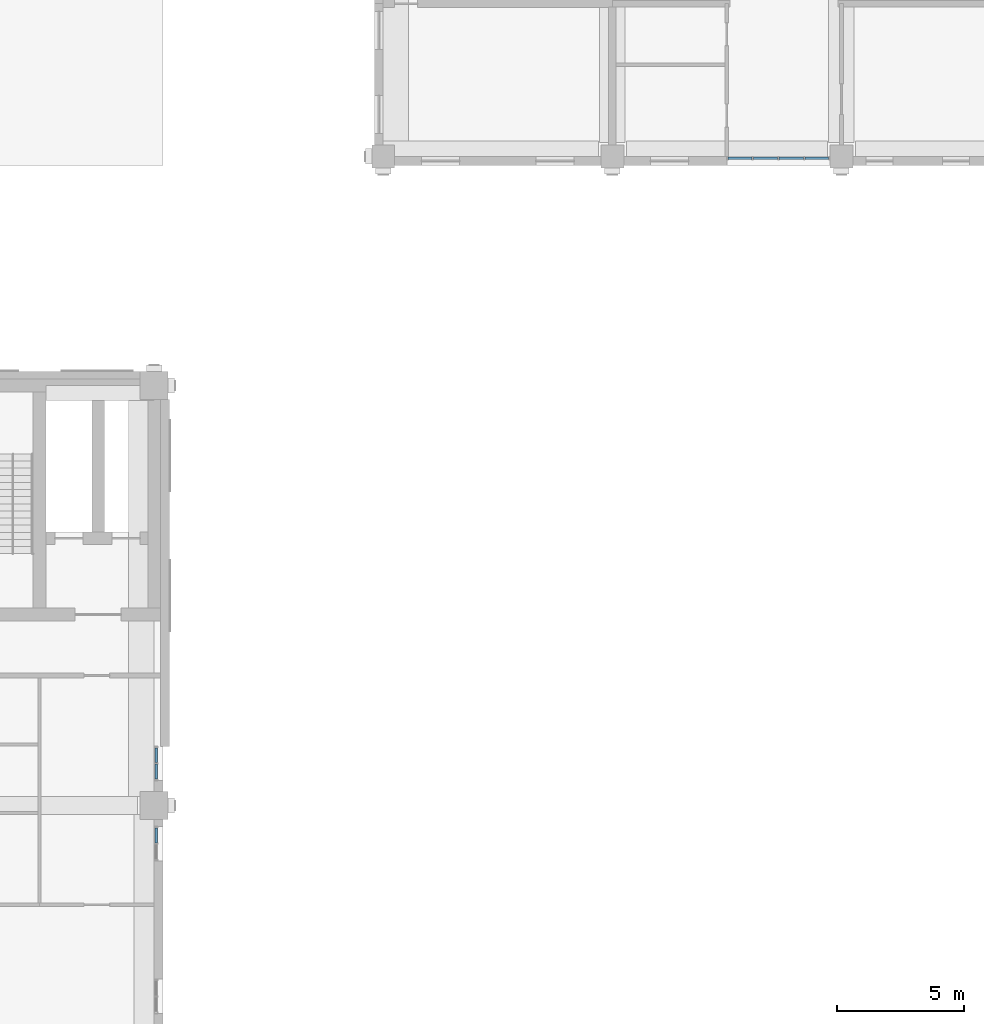
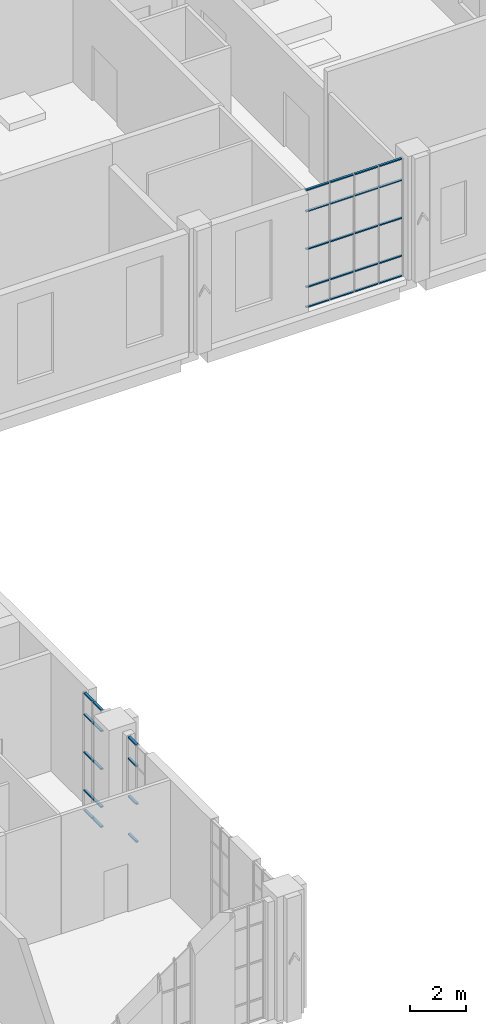
# One storey, part 12 of 33: 34 members, 3 elements without a shape of their own.
"""IFC4 building model written with IfcOpenShell, lengths in metres."""

import ifcopenshell
import ifcopenshell.guid

model = None  # the IFC model being written
_history = None  # IfcOwnerHistory: only IFC2X3 demands one
_inside = {}  # id of a spatial element -> (the spatial element, [elements in it])
_under = {}  # id of a project, library or spatial element -> (it, [spatial elements below it])
_declared = {}  # id of a project -> (the project, [libraries it declares])
_typed = {}  # id of a type object -> (the type object, [elements of that type])
_made_of = {}  # id of a material, layer set ... -> (it, [elements and type objects made of it])


def new_model(schema):
    """Start an empty IFC model of exactly this schema.

    Asked for "IFC4X3", IfcOpenShell would pick the latest addendum, in which some entities
    have other attributes; the version numbers below select the first issue.
    IFC2X3 requires an IfcOwnerHistory on every rooted entity: one is made here for all.
    """
    global model, _history
    if schema == "IFC4X3":
        model = ifcopenshell.file(schema_version=(4, 3, 0, 0))
    else:
        model = ifcopenshell.file(schema=schema)
    _inside.clear()
    _under.clear()
    _declared.clear()
    _typed.clear()
    _made_of.clear()
    _history = None
    if model.schema == "IFC2X3":
        org = make("IfcOrganization", Name="unknown")
        user = make(
            "IfcPersonAndOrganization",
            ThePerson=make("IfcPerson", FamilyName="unknown"),
            TheOrganization=org,
        )
        app = make(
            "IfcApplication",
            ApplicationDeveloper=org,
            Version="unknown",
            ApplicationFullName="unknown",
            ApplicationIdentifier="unknown",
        )
        _history = make(
            "IfcOwnerHistory",
            OwningUser=user,
            OwningApplication=app,
            ChangeAction="ADDED",
            CreationDate=0,
        )
    return model


def make(cls, **values):
    """One entity of the class cls with the attributes given. An attribute that is None is left unset."""
    return model.create_entity(
        cls, **{name: value for name, value in values.items() if value is not None}
    )


def rooted(cls, **values):
    """An entity with a GlobalId (a new one), such as an element, a storey or a relation."""
    return make(cls, GlobalId=ifcopenshell.guid.new(), OwnerHistory=_history, **values)


def si_unit(unit_type, name, prefix=None):
    """IfcSIUnit, for example si_unit("LENGTHUNIT", "METRE", prefix="MILLI")."""
    return make("IfcSIUnit", UnitType=unit_type, Prefix=prefix, Name=name)


def assignment(units):
    """IfcUnitAssignment: the units of a project."""
    return None if units is None else make("IfcUnitAssignment", Units=units)


def point(xyz):
    """IfcCartesianPoint."""
    return None if xyz is None else make("IfcCartesianPoint", Coordinates=xyz)


def direction(xyz):
    """IfcDirection."""
    return None if xyz is None else make("IfcDirection", DirectionRatios=xyz)


def frame(location, z_axis=None, x_axis=None):
    """IfcAxis2Placement3D, a coordinate frame: its origin and axes. An axis left out is left unset."""
    return make(
        "IfcAxis2Placement3D",
        Location=point(location),
        Axis=direction(z_axis),
        RefDirection=direction(x_axis),
    )


def frame_2d(location, x_axis=None):
    """IfcAxis2Placement2D, a coordinate frame in the plane: its origin and x axis."""
    return make(
        "IfcAxis2Placement2D", Location=point(location), RefDirection=direction(x_axis)
    )


def origin():
    """The frame at (0, 0, 0) with its axes left unset."""
    return frame((0.0, 0.0, 0.0))


def origin_2d():
    """The frame at (0, 0) in the plane with its x axis left unset."""
    return frame_2d((0.0, 0.0))


def place(relative_to, where):
    """IfcLocalPlacement: puts the frame where relative to a parent placement (None: the world)."""
    return make(
        "IfcLocalPlacement", PlacementRelTo=relative_to, RelativePlacement=where
    )


def context(
    kind, dimensions, precision=None, world=None, true_north=None, identifier=None
):
    """IfcGeometricRepresentationContext, for example the 3D "Model" context."""
    return make(
        "IfcGeometricRepresentationContext",
        ContextIdentifier=identifier,
        ContextType=kind,
        CoordinateSpaceDimension=dimensions,
        Precision=precision,
        WorldCoordinateSystem=world,
        TrueNorth=true_north,
    )


def subcontext(parent, identifier, kind, view, scale=None):
    """IfcGeometricRepresentationSubContext, for example "Body" below "Model"."""
    return make(
        "IfcGeometricRepresentationSubContext",
        ContextIdentifier=identifier,
        ContextType=kind,
        ParentContext=parent,
        TargetScale=scale,
        TargetView=view,
    )


def project(units=None, contexts=None):
    """IfcProject with its units and contexts."""
    return rooted(
        "IfcProject",
        Name="project",
        RepresentationContexts=contexts,
        UnitsInContext=assignment(units),
    )


def spatial(cls, under=None, at=None, **own):
    """A site, building, storey or space (cls), placed at a placement, below another one or the project."""
    s = rooted(cls, ObjectPlacement=at, **own)
    if under is not None:
        _under.setdefault(under.id(), (under, []))[1].append(s)
    return s


def profile(cls, at=None, kind="AREA", **sizes):
    """A parametric profile (cls). Its sizes go by their IFC names, for example OverallWidth=200.0."""
    return make(cls, ProfileType=kind, Position=at, **sizes)


def rectangle(**sizes):
    """IfcRectangleProfileDef."""
    return profile("IfcRectangleProfileDef", **sizes)


def extrude(swept, where, along, depth):
    """IfcExtrudedAreaSolid: the profile swept, set in the frame where, extruded along a direction by depth."""
    return make(
        "IfcExtrudedAreaSolid",
        SweptArea=swept,
        Position=where,
        ExtrudedDirection=direction(along),
        Depth=depth,
    )


def shape(context_of_items, identifier, shape_type, items):
    """IfcShapeRepresentation: the items that make up one representation, for example the "Body"."""
    return make(
        "IfcShapeRepresentation",
        ContextOfItems=context_of_items,
        RepresentationIdentifier=identifier,
        RepresentationType=shape_type,
        Items=items,
    )


def material(Name=None, Category=None):
    """IfcMaterial."""
    return make("IfcMaterial", Name=Name, Category=Category)


def layer(
    of_material, thickness, ventilated=None, Name=None, Category=None, Priority=None
):
    """IfcMaterialLayer: one layer of a wall or slab, of a material (None: an air gap)."""
    return make(
        "IfcMaterialLayer",
        Material=of_material,
        LayerThickness=thickness,
        IsVentilated=ventilated,
        Name=Name,
        Category=Category,
        Priority=Priority,
    )


def layer_set(layers, Name=None):
    """IfcMaterialLayerSet."""
    return make("IfcMaterialLayerSet", MaterialLayers=layers, LayerSetName=Name)


def material_profile(
    of_material, cross_section, Name=None, Category=None, Priority=None
):
    """IfcMaterialProfile: a cross section and its material."""
    return make(
        "IfcMaterialProfile",
        Name=Name,
        Material=of_material,
        Profile=cross_section,
        Priority=Priority,
        Category=Category,
    )


def profile_set(profiles, Name=None, composite=None):
    """IfcMaterialProfileSet."""
    return make(
        "IfcMaterialProfileSet",
        Name=Name,
        MaterialProfiles=profiles,
        CompositeProfile=composite,
    )


def made_of(thing, what):
    """Note that an element or type object is made of a material, layer set ...; save() writes the relation."""
    if what is not None:
        _made_of.setdefault(what.id(), (what, []))[1].append(thing)
    return thing


def type_object(cls, material=None, **own):
    """A type object (cls), such as IfcWallType, which elements share."""
    return made_of(rooted(cls, **own), material)


def element(
    cls,
    number,
    at=None,
    inside=None,
    cuts=None,
    type_object=None,
    material=None,
    context=None,
    identifier="Body",
    shape_type=None,
    held_by="IfcProductDefinitionShape",
    body=None,
    shapes=None,
    **own,
):
    """One element of the class cls, such as IfcWall. Its Tag is "e" and its number.

    at: its placement. inside: the storey or other place that contains it. cuts: it is an
    opening in that element (IfcRelVoidsElement). A single representation is given by context,
    identifier, shape_type and body (its items); several are given by shapes. held_by: the class
    of the entity that holds the representations. save() writes the other relations.
    """
    e = rooted(cls, Tag="e%d" % number, ObjectPlacement=at, **own)
    if body is not None:
        shapes = [shape(context, identifier, shape_type, body)]
    if shapes is not None:
        e.Representation = make(held_by, Representations=shapes)
    if inside is not None:
        _inside.setdefault(inside.id(), (inside, []))[1].append(e)
    if cuts is not None:
        rooted(
            "IfcRelVoidsElement", RelatingBuildingElement=cuts, RelatedOpeningElement=e
        )
    if type_object is not None:
        _typed.setdefault(type_object.id(), (type_object, []))[1].append(e)
    return made_of(e, material)


def aggregate(whole, parts):
    """IfcRelAggregates: a whole, such as a stair, and the parts it consists of."""
    return rooted("IfcRelAggregates", RelatingObject=whole, RelatedObjects=parts)


def save(model, path):
    """Write the relations noted so far, then the file.

    IfcRelAggregates (storeys below a building ...), IfcRelContainedInSpatialStructure (elements
    in a storey), IfcRelDefinesByType, IfcRelAssociatesMaterial and IfcRelDeclares: one each for
    every whole, place, type object, material and project.
    """
    for whole, parts in _under.values():
        aggregate(whole, parts)
    for where, things in _inside.values():
        rooted(
            "IfcRelContainedInSpatialStructure",
            RelatedElements=things,
            RelatingStructure=where,
        )
    for kind, things in _typed.values():
        rooted("IfcRelDefinesByType", RelatedObjects=things, RelatingType=kind)
    for what, things in _made_of.values():
        rooted("IfcRelAssociatesMaterial", RelatedObjects=things, RelatingMaterial=what)
    for by, libraries in _declared.values():
        rooted("IfcRelDeclares", RelatingContext=by, RelatedDefinitions=libraries)
    model.write(path)


model = new_model("IFC4")

# Units and contexts
model_context = context("Model", 3, precision=1e-05, world=origin(), true_north=direction((0.0, 1.0)))
body_context = subcontext(model_context, "Body", "Model", "MODEL_VIEW")
ifc_project = project(units=[si_unit("LENGTHUNIT", "METRE"), si_unit("AREAUNIT", "SQUARE_METRE"), si_unit("VOLUMEUNIT", "CUBIC_METRE"), si_unit("PLANEANGLEUNIT", "RADIAN"), si_unit("MASSUNIT", "GRAM", prefix="KILO")], contexts=[model_context])

# Site, building, storey
site_placement = place(None, origin())
site = spatial("IfcSite", under=ifc_project, at=site_placement, CompositionType="ELEMENT")
building_placement = place(site_placement, origin())
building = spatial("IfcBuilding", under=site, at=building_placement, Name="Aurelan Courthouse", CompositionType="ELEMENT")
storey_placement = place(building_placement, frame((0.0, 0.0, 22.800048828125)))
storey = spatial("IfcBuildingStorey", under=building, at=storey_placement, Name="L04", CompositionType="ELEMENT", Elevation=22.800048828125)

# Curtain wall, members
ifc_material_1 = material(Name="Bronze-finished aluminium and glass", Category="aluminium")
ifc_layer_1 = layer(ifc_material_1, 0.14990234375)
ifc_layer_set_1 = layer_set([ifc_layer_1], Name="Bronze-finished aluminium and glass")
curtain_wall_type_1 = type_object("IfcCurtainWallType", Name="Curtain wall 4050 x 5150", PredefinedType="NOTDEFINED", material=ifc_layer_set_1)
curtain_wall_1_placement = place(storey_placement, origin())
curtain_wall_1 = element("IfcCurtainWall", 1, at=curtain_wall_1_placement, inside=storey, type_object=curtain_wall_type_1, Name="Curtain wall CW-V2-L04-S01", PredefinedType="NOTDEFINED")
ifc_material_2 = material(Name="Bronze-finished aluminium", Category="aluminium")
ifc_material_profile_1 = material_profile(ifc_material_2, rectangle(XDim=0.090087890625, YDim=0.050048828125, at=origin_2d()), Name="Bronze transom 50 x 90")
ifc_profile_set_1 = profile_set([ifc_material_profile_1], Name="Bronze-finished aluminium")
member_type_1 = type_object("IfcMemberType", Name="Curtain wall transom 50 x 90", PredefinedType="USERDEFINED", material=ifc_profile_set_1)
member_1_placement = place(storey_placement, frame((49.550048828125, 37.425048828125, 0.02490234375), z_axis=(1.0, 0.0, 0.0), x_axis=(0.0, 1.0, 0.0)))
member_1 = element("IfcMember", 2, at=member_1_placement, type_object=member_type_1, Name="CW-V2-L04-S01 transom 1.1", ObjectType="TRANSOM", PredefinedType="USERDEFINED", context=body_context, shape_type="SweptSolid", body=[
    extrude(rectangle(XDim=0.090087890625, YDim=0.050048828125, at=origin_2d()), origin(), (0.0, 0.0, 1.0), 0.9375),
])
member_2_placement = place(storey_placement, frame((49.550048828125, 37.425048828125, 0.89990234375), z_axis=(1.0, 0.0, 0.0), x_axis=(0.0, 1.0, 0.0)))
member_2 = element("IfcMember", 3, at=member_2_placement, type_object=member_type_1, Name="CW-V2-L04-S01 transom 1.2", ObjectType="TRANSOM", PredefinedType="USERDEFINED", context=body_context, shape_type="SweptSolid", body=[
    extrude(rectangle(XDim=0.090087890625, YDim=0.050048828125, at=origin_2d()), origin(), (0.0, 0.0, 1.0), 0.9375),
])
member_3_placement = place(storey_placement, frame((49.550048828125, 37.425048828125, 2.550048828125), z_axis=(1.0, 0.0, 0.0), x_axis=(0.0, 1.0, 0.0)))
member_3 = element("IfcMember", 4, at=member_3_placement, type_object=member_type_1, Name="CW-V2-L04-S01 transom 1.3", ObjectType="TRANSOM", PredefinedType="USERDEFINED", context=body_context, shape_type="SweptSolid", body=[
    extrude(rectangle(XDim=0.090087890625, YDim=0.050048828125, at=origin_2d()), origin(), (0.0, 0.0, 1.0), 0.9375),
])
member_4_placement = place(storey_placement, frame((49.550048828125, 37.425048828125, 4.199951171875), z_axis=(1.0, 0.0, 0.0), x_axis=(0.0, 1.0, 0.0)))
member_4 = element("IfcMember", 5, at=member_4_placement, type_object=member_type_1, Name="CW-V2-L04-S01 transom 1.4", ObjectType="TRANSOM", PredefinedType="USERDEFINED", context=body_context, shape_type="SweptSolid", body=[
    extrude(rectangle(XDim=0.090087890625, YDim=0.050048828125, at=origin_2d()), origin(), (0.0, 0.0, 1.0), 0.9375),
])
member_5_placement = place(storey_placement, frame((49.550048828125, 37.425048828125, 5.125), z_axis=(1.0, 0.0, 0.0), x_axis=(0.0, 1.0, 0.0)))
member_5 = element("IfcMember", 6, at=member_5_placement, type_object=member_type_1, Name="CW-V2-L04-S01 transom 1.5", ObjectType="TRANSOM", PredefinedType="USERDEFINED", context=body_context, shape_type="SweptSolid", body=[
    extrude(rectangle(XDim=0.090087890625, YDim=0.050048828125, at=origin_2d()), origin(), (0.0, 0.0, 1.0), 0.9375),
])
member_6_placement = place(storey_placement, frame((50.53759765625, 37.425048828125, 0.02490234375), z_axis=(1.0, 0.0, 0.0), x_axis=(0.0, 1.0, 0.0)))
member_6 = element("IfcMember", 7, at=member_6_placement, type_object=member_type_1, Name="CW-V2-L04-S01 transom 2.1", ObjectType="TRANSOM", PredefinedType="USERDEFINED", context=body_context, shape_type="SweptSolid", body=[
    extrude(rectangle(XDim=0.090087890625, YDim=0.050048828125, at=origin_2d()), origin(), (0.0, 0.0, 1.0), 0.96240234375),
])
member_7_placement = place(storey_placement, frame((50.53759765625, 37.425048828125, 0.89990234375), z_axis=(1.0, 0.0, 0.0), x_axis=(0.0, 1.0, 0.0)))
member_7 = element("IfcMember", 8, at=member_7_placement, type_object=member_type_1, Name="CW-V2-L04-S01 transom 2.2", ObjectType="TRANSOM", PredefinedType="USERDEFINED", context=body_context, shape_type="SweptSolid", body=[
    extrude(rectangle(XDim=0.090087890625, YDim=0.050048828125, at=origin_2d()), origin(), (0.0, 0.0, 1.0), 0.96240234375),
])
member_8_placement = place(storey_placement, frame((50.53759765625, 37.425048828125, 2.550048828125), z_axis=(1.0, 0.0, 0.0), x_axis=(0.0, 1.0, 0.0)))
member_8 = element("IfcMember", 9, at=member_8_placement, type_object=member_type_1, Name="CW-V2-L04-S01 transom 2.3", ObjectType="TRANSOM", PredefinedType="USERDEFINED", context=body_context, shape_type="SweptSolid", body=[
    extrude(rectangle(XDim=0.090087890625, YDim=0.050048828125, at=origin_2d()), origin(), (0.0, 0.0, 1.0), 0.96240234375),
])
member_9_placement = place(storey_placement, frame((50.53759765625, 37.425048828125, 4.199951171875), z_axis=(1.0, 0.0, 0.0), x_axis=(0.0, 1.0, 0.0)))
member_9 = element("IfcMember", 10, at=member_9_placement, type_object=member_type_1, Name="CW-V2-L04-S01 transom 2.4", ObjectType="TRANSOM", PredefinedType="USERDEFINED", context=body_context, shape_type="SweptSolid", body=[
    extrude(rectangle(XDim=0.090087890625, YDim=0.050048828125, at=origin_2d()), origin(), (0.0, 0.0, 1.0), 0.96240234375),
])
member_10_placement = place(storey_placement, frame((50.53759765625, 37.425048828125, 5.125), z_axis=(1.0, 0.0, 0.0), x_axis=(0.0, 1.0, 0.0)))
member_10 = element("IfcMember", 11, at=member_10_placement, type_object=member_type_1, Name="CW-V2-L04-S01 transom 2.5", ObjectType="TRANSOM", PredefinedType="USERDEFINED", context=body_context, shape_type="SweptSolid", body=[
    extrude(rectangle(XDim=0.090087890625, YDim=0.050048828125, at=origin_2d()), origin(), (0.0, 0.0, 1.0), 0.96240234375),
])
member_11_placement = place(storey_placement, frame((51.550048828125, 37.425048828125, 0.02490234375), z_axis=(1.0, 0.0, 0.0), x_axis=(0.0, 1.0, 0.0)))
member_11 = element("IfcMember", 12, at=member_11_placement, type_object=member_type_1, Name="CW-V2-L04-S01 transom 3.1", ObjectType="TRANSOM", PredefinedType="USERDEFINED", context=body_context, shape_type="SweptSolid", body=[
    extrude(rectangle(XDim=0.090087890625, YDim=0.050048828125, at=origin_2d()), origin(), (0.0, 0.0, 1.0), 0.96240234375),
])
member_12_placement = place(storey_placement, frame((51.550048828125, 37.425048828125, 0.89990234375), z_axis=(1.0, 0.0, 0.0), x_axis=(0.0, 1.0, 0.0)))
member_12 = element("IfcMember", 13, at=member_12_placement, type_object=member_type_1, Name="CW-V2-L04-S01 transom 3.2", ObjectType="TRANSOM", PredefinedType="USERDEFINED", context=body_context, shape_type="SweptSolid", body=[
    extrude(rectangle(XDim=0.090087890625, YDim=0.050048828125, at=origin_2d()), origin(), (0.0, 0.0, 1.0), 0.96240234375),
])
member_13_placement = place(storey_placement, frame((51.550048828125, 37.425048828125, 2.550048828125), z_axis=(1.0, 0.0, 0.0), x_axis=(0.0, 1.0, 0.0)))
member_13 = element("IfcMember", 14, at=member_13_placement, type_object=member_type_1, Name="CW-V2-L04-S01 transom 3.3", ObjectType="TRANSOM", PredefinedType="USERDEFINED", context=body_context, shape_type="SweptSolid", body=[
    extrude(rectangle(XDim=0.090087890625, YDim=0.050048828125, at=origin_2d()), origin(), (0.0, 0.0, 1.0), 0.96240234375),
])
member_14_placement = place(storey_placement, frame((51.550048828125, 37.425048828125, 4.199951171875), z_axis=(1.0, 0.0, 0.0), x_axis=(0.0, 1.0, 0.0)))
member_14 = element("IfcMember", 15, at=member_14_placement, type_object=member_type_1, Name="CW-V2-L04-S01 transom 3.4", ObjectType="TRANSOM", PredefinedType="USERDEFINED", context=body_context, shape_type="SweptSolid", body=[
    extrude(rectangle(XDim=0.090087890625, YDim=0.050048828125, at=origin_2d()), origin(), (0.0, 0.0, 1.0), 0.96240234375),
])
member_15_placement = place(storey_placement, frame((51.550048828125, 37.425048828125, 5.125), z_axis=(1.0, 0.0, 0.0), x_axis=(0.0, 1.0, 0.0)))
member_15 = element("IfcMember", 16, at=member_15_placement, type_object=member_type_1, Name="CW-V2-L04-S01 transom 3.5", ObjectType="TRANSOM", PredefinedType="USERDEFINED", context=body_context, shape_type="SweptSolid", body=[
    extrude(rectangle(XDim=0.090087890625, YDim=0.050048828125, at=origin_2d()), origin(), (0.0, 0.0, 1.0), 0.96240234375),
])
member_16_placement = place(storey_placement, frame((52.5625, 37.425048828125, 0.02490234375), z_axis=(1.0, 0.0, 0.0), x_axis=(0.0, 1.0, 0.0)))
member_16 = element("IfcMember", 17, at=member_16_placement, type_object=member_type_1, Name="CW-V2-L04-S01 transom 4.1", ObjectType="TRANSOM", PredefinedType="USERDEFINED", context=body_context, shape_type="SweptSolid", body=[
    extrude(rectangle(XDim=0.090087890625, YDim=0.050048828125, at=origin_2d()), origin(), (0.0, 0.0, 1.0), 0.9375),
])
member_17_placement = place(storey_placement, frame((52.5625, 37.425048828125, 0.89990234375), z_axis=(1.0, 0.0, 0.0), x_axis=(0.0, 1.0, 0.0)))
member_17 = element("IfcMember", 18, at=member_17_placement, type_object=member_type_1, Name="CW-V2-L04-S01 transom 4.2", ObjectType="TRANSOM", PredefinedType="USERDEFINED", context=body_context, shape_type="SweptSolid", body=[
    extrude(rectangle(XDim=0.090087890625, YDim=0.050048828125, at=origin_2d()), origin(), (0.0, 0.0, 1.0), 0.9375),
])
member_18_placement = place(storey_placement, frame((52.5625, 37.425048828125, 2.550048828125), z_axis=(1.0, 0.0, 0.0), x_axis=(0.0, 1.0, 0.0)))
member_18 = element("IfcMember", 19, at=member_18_placement, type_object=member_type_1, Name="CW-V2-L04-S01 transom 4.3", ObjectType="TRANSOM", PredefinedType="USERDEFINED", context=body_context, shape_type="SweptSolid", body=[
    extrude(rectangle(XDim=0.090087890625, YDim=0.050048828125, at=origin_2d()), origin(), (0.0, 0.0, 1.0), 0.9375),
])
member_19_placement = place(storey_placement, frame((52.5625, 37.425048828125, 4.199951171875), z_axis=(1.0, 0.0, 0.0), x_axis=(0.0, 1.0, 0.0)))
member_19 = element("IfcMember", 20, at=member_19_placement, type_object=member_type_1, Name="CW-V2-L04-S01 transom 4.4", ObjectType="TRANSOM", PredefinedType="USERDEFINED", context=body_context, shape_type="SweptSolid", body=[
    extrude(rectangle(XDim=0.090087890625, YDim=0.050048828125, at=origin_2d()), origin(), (0.0, 0.0, 1.0), 0.9375),
])
member_20_placement = place(storey_placement, frame((52.5625, 37.425048828125, 5.125), z_axis=(1.0, 0.0, 0.0), x_axis=(0.0, 1.0, 0.0)))
member_20 = element("IfcMember", 21, at=member_20_placement, type_object=member_type_1, Name="CW-V2-L04-S01 transom 4.5", ObjectType="TRANSOM", PredefinedType="USERDEFINED", context=body_context, shape_type="SweptSolid", body=[
    extrude(rectangle(XDim=0.090087890625, YDim=0.050048828125, at=origin_2d()), origin(), (0.0, 0.0, 1.0), 0.9375),
])
aggregate(curtain_wall_1, [member_1, member_2, member_3, member_4, member_5, member_6, member_7, member_8, member_9, member_10, member_11, member_12, member_13, member_14, member_15, member_16, member_17, member_18, member_19, member_20])

ifc_layer_2 = layer(ifc_material_1, 0.14990234375)
ifc_layer_set_2 = layer_set([ifc_layer_2], Name="Bronze-finished aluminium and glass")
curtain_wall_type_2 = type_object("IfcCurtainWallType", Name="Curtain wall 1350 x 5150", PredefinedType="NOTDEFINED", material=ifc_layer_set_2)
curtain_wall_2_placement = place(storey_placement, origin())
curtain_wall_2 = element("IfcCurtainWall", 22, at=curtain_wall_2_placement, inside=storey, type_object=curtain_wall_type_2, Name="Curtain wall CW-V5-L04-E03", PredefinedType="NOTDEFINED")
ifc_material_profile_2 = material_profile(ifc_material_2, rectangle(XDim=0.10009765625, YDim=0.06005859375, at=origin_2d()), Name="Bronze transom 60 x 100")
ifc_profile_set_2 = profile_set([ifc_material_profile_2], Name="Bronze-finished aluminium")
member_type_2 = type_object("IfcMemberType", Name="Curtain wall transom 60 x 100", PredefinedType="USERDEFINED", material=ifc_profile_set_2)
member_21_placement = place(storey_placement, frame((27.074951171875, 10.530029296875, 0.89990234375), z_axis=(0.0, 1.0, 0.0), x_axis=(-1.0, 0.0, 0.0)))
member_21 = element("IfcMember", 23, at=member_21_placement, type_object=member_type_2, Name="CW-V5-L04-E03 transom 2.2", ObjectType="TRANSOM", PredefinedType="USERDEFINED", context=body_context, shape_type="SweptSolid", body=[
    extrude(rectangle(XDim=0.10009765625, YDim=0.06005859375, at=origin_2d()), origin(), (0.0, 0.0, 1.0), 0.5849609375),
])
member_22_placement = place(storey_placement, frame((27.074951171875, 10.530029296875, 2.550048828125), z_axis=(0.0, 1.0, 0.0), x_axis=(-1.0, 0.0, 0.0)))
member_22 = element("IfcMember", 24, at=member_22_placement, type_object=member_type_2, Name="CW-V5-L04-E03 transom 2.3", ObjectType="TRANSOM", PredefinedType="USERDEFINED", context=body_context, shape_type="SweptSolid", body=[
    extrude(rectangle(XDim=0.10009765625, YDim=0.06005859375, at=origin_2d()), origin(), (0.0, 0.0, 1.0), 0.5849609375),
])
member_23_placement = place(storey_placement, frame((27.074951171875, 10.530029296875, 4.199951171875), z_axis=(0.0, 1.0, 0.0), x_axis=(-1.0, 0.0, 0.0)))
member_23 = element("IfcMember", 25, at=member_23_placement, type_object=member_type_2, Name="CW-V5-L04-E03 transom 2.4", ObjectType="TRANSOM", PredefinedType="USERDEFINED", context=body_context, shape_type="SweptSolid", body=[
    extrude(rectangle(XDim=0.10009765625, YDim=0.06005859375, at=origin_2d()), origin(), (0.0, 0.0, 1.0), 0.5849609375),
])
member_24_placement = place(storey_placement, frame((27.074951171875, 10.530029296875, 5.119873046875), z_axis=(0.0, 1.0, 0.0), x_axis=(-1.0, 0.0, 0.0)))
member_24 = element("IfcMember", 26, at=member_24_placement, type_object=member_type_2, Name="CW-V5-L04-E03 transom 2.5", ObjectType="TRANSOM", PredefinedType="USERDEFINED", context=body_context, shape_type="SweptSolid", body=[
    extrude(rectangle(XDim=0.10009765625, YDim=0.06005859375, at=origin_2d()), origin(), (0.0, 0.0, 1.0), 0.5849609375),
])
aggregate(curtain_wall_2, [member_21, member_22, member_23, member_24])

curtain_wall_3_placement = place(storey_placement, origin())
curtain_wall_3 = element("IfcCurtainWall", 27, at=curtain_wall_3_placement, inside=storey, type_object=curtain_wall_type_2, Name="Curtain wall CW-V5-L04-E04", PredefinedType="NOTDEFINED")
member_25_placement = place(storey_placement, frame((27.074951171875, 13.034912109375, 0.030029296875), z_axis=(0.0, 1.0, 0.0), x_axis=(-1.0, 0.0, 0.0)))
member_25 = element("IfcMember", 28, at=member_25_placement, type_object=member_type_2, Name="CW-V5-L04-E04 transom 1.1", ObjectType="TRANSOM", PredefinedType="USERDEFINED", context=body_context, shape_type="SweptSolid", body=[
    extrude(rectangle(XDim=0.10009765625, YDim=0.06005859375, at=origin_2d()), origin(), (0.0, 0.0, 1.0), 0.585205078125),
])
member_26_placement = place(storey_placement, frame((27.074951171875, 13.034912109375, 0.89990234375), z_axis=(0.0, 1.0, 0.0), x_axis=(-1.0, 0.0, 0.0)))
member_26 = element("IfcMember", 29, at=member_26_placement, type_object=member_type_2, Name="CW-V5-L04-E04 transom 1.2", ObjectType="TRANSOM", PredefinedType="USERDEFINED", context=body_context, shape_type="SweptSolid", body=[
    extrude(rectangle(XDim=0.10009765625, YDim=0.06005859375, at=origin_2d()), origin(), (0.0, 0.0, 1.0), 0.585205078125),
])
member_27_placement = place(storey_placement, frame((27.074951171875, 13.034912109375, 2.550048828125), z_axis=(0.0, 1.0, 0.0), x_axis=(-1.0, 0.0, 0.0)))
member_27 = element("IfcMember", 30, at=member_27_placement, type_object=member_type_2, Name="CW-V5-L04-E04 transom 1.3", ObjectType="TRANSOM", PredefinedType="USERDEFINED", context=body_context, shape_type="SweptSolid", body=[
    extrude(rectangle(XDim=0.10009765625, YDim=0.06005859375, at=origin_2d()), origin(), (0.0, 0.0, 1.0), 0.585205078125),
])
member_28_placement = place(storey_placement, frame((27.074951171875, 13.034912109375, 4.199951171875), z_axis=(0.0, 1.0, 0.0), x_axis=(-1.0, 0.0, 0.0)))
member_28 = element("IfcMember", 31, at=member_28_placement, type_object=member_type_2, Name="CW-V5-L04-E04 transom 1.4", ObjectType="TRANSOM", PredefinedType="USERDEFINED", context=body_context, shape_type="SweptSolid", body=[
    extrude(rectangle(XDim=0.10009765625, YDim=0.06005859375, at=origin_2d()), origin(), (0.0, 0.0, 1.0), 0.585205078125),
])
member_29_placement = place(storey_placement, frame((27.074951171875, 13.034912109375, 5.119873046875), z_axis=(0.0, 1.0, 0.0), x_axis=(-1.0, 0.0, 0.0)))
member_29 = element("IfcMember", 32, at=member_29_placement, type_object=member_type_2, Name="CW-V5-L04-E04 transom 1.5", ObjectType="TRANSOM", PredefinedType="USERDEFINED", context=body_context, shape_type="SweptSolid", body=[
    extrude(rectangle(XDim=0.10009765625, YDim=0.06005859375, at=origin_2d()), origin(), (0.0, 0.0, 1.0), 0.585205078125),
])
member_30_placement = place(storey_placement, frame((27.074951171875, 13.679931640625, 0.030029296875), z_axis=(0.0, 1.0, 0.0), x_axis=(-1.0, 0.0, 0.0)))
member_30 = element("IfcMember", 33, at=member_30_placement, type_object=member_type_2, Name="CW-V5-L04-E04 transom 2.1", ObjectType="TRANSOM", PredefinedType="USERDEFINED", context=body_context, shape_type="SweptSolid", body=[
    extrude(rectangle(XDim=0.10009765625, YDim=0.06005859375, at=origin_2d()), origin(), (0.0, 0.0, 1.0), 0.5849609375),
])
member_31_placement = place(storey_placement, frame((27.074951171875, 13.679931640625, 0.89990234375), z_axis=(0.0, 1.0, 0.0), x_axis=(-1.0, 0.0, 0.0)))
member_31 = element("IfcMember", 34, at=member_31_placement, type_object=member_type_2, Name="CW-V5-L04-E04 transom 2.2", ObjectType="TRANSOM", PredefinedType="USERDEFINED", context=body_context, shape_type="SweptSolid", body=[
    extrude(rectangle(XDim=0.10009765625, YDim=0.06005859375, at=origin_2d()), origin(), (0.0, 0.0, 1.0), 0.5849609375),
])
member_32_placement = place(storey_placement, frame((27.074951171875, 13.679931640625, 2.550048828125), z_axis=(0.0, 1.0, 0.0), x_axis=(-1.0, 0.0, 0.0)))
member_32 = element("IfcMember", 35, at=member_32_placement, type_object=member_type_2, Name="CW-V5-L04-E04 transom 2.3", ObjectType="TRANSOM", PredefinedType="USERDEFINED", context=body_context, shape_type="SweptSolid", body=[
    extrude(rectangle(XDim=0.10009765625, YDim=0.06005859375, at=origin_2d()), origin(), (0.0, 0.0, 1.0), 0.5849609375),
])
member_33_placement = place(storey_placement, frame((27.074951171875, 13.679931640625, 4.199951171875), z_axis=(0.0, 1.0, 0.0), x_axis=(-1.0, 0.0, 0.0)))
member_33 = element("IfcMember", 36, at=member_33_placement, type_object=member_type_2, Name="CW-V5-L04-E04 transom 2.4", ObjectType="TRANSOM", PredefinedType="USERDEFINED", context=body_context, shape_type="SweptSolid", body=[
    extrude(rectangle(XDim=0.10009765625, YDim=0.06005859375, at=origin_2d()), origin(), (0.0, 0.0, 1.0), 0.5849609375),
])
member_34_placement = place(storey_placement, frame((27.074951171875, 13.679931640625, 5.119873046875), z_axis=(0.0, 1.0, 0.0), x_axis=(-1.0, 0.0, 0.0)))
member_34 = element("IfcMember", 37, at=member_34_placement, type_object=member_type_2, Name="CW-V5-L04-E04 transom 2.5", ObjectType="TRANSOM", PredefinedType="USERDEFINED", context=body_context, shape_type="SweptSolid", body=[
    extrude(rectangle(XDim=0.10009765625, YDim=0.06005859375, at=origin_2d()), origin(), (0.0, 0.0, 1.0), 0.5849609375),
])
aggregate(curtain_wall_3, [member_25, member_26, member_27, member_28, member_29, member_30, member_31, member_32, member_33, member_34])

save(model, "model.ifc")
